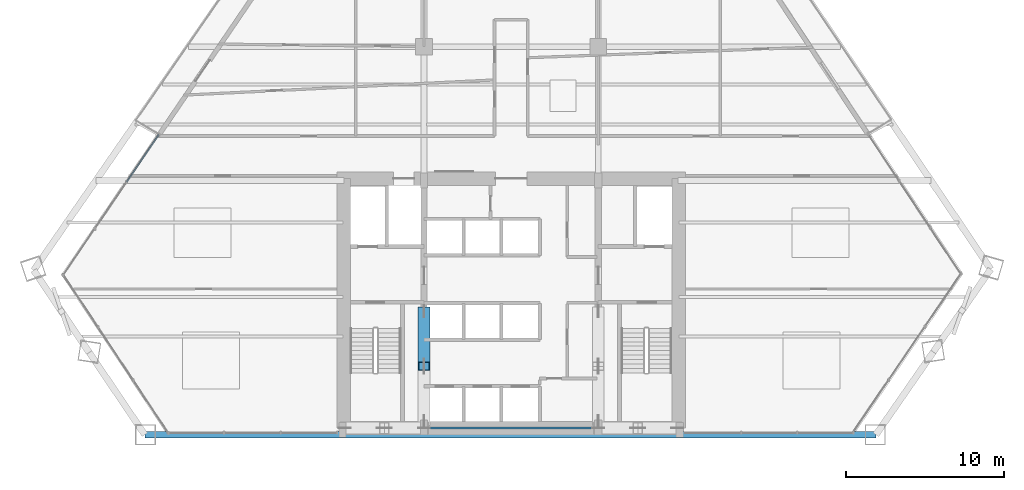
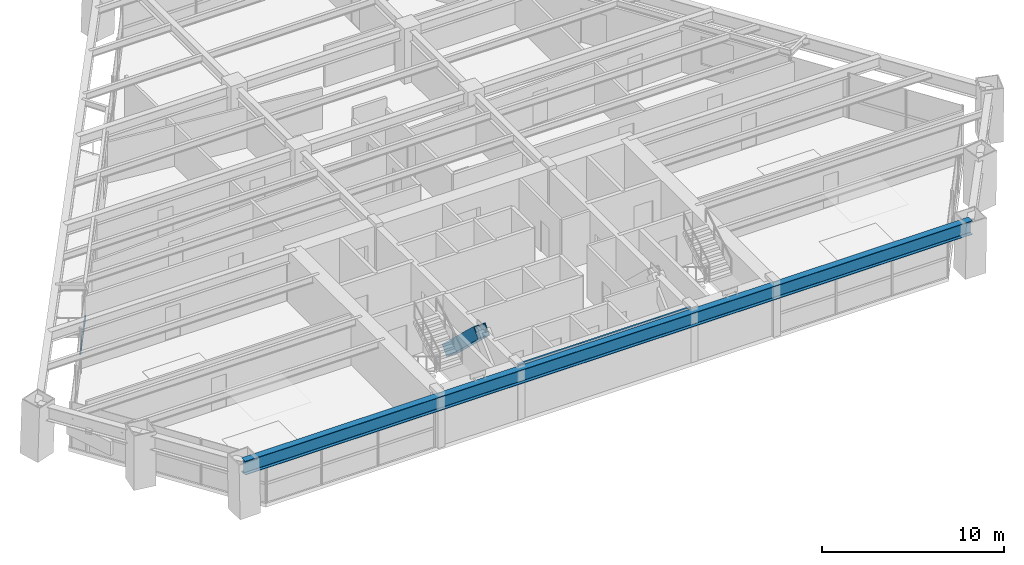
# One storey, part 3 of 14: 2 beams, 2 members, 1 element without a shape of its own.
"""IFC4 building model written with IfcOpenShell, lengths in metres."""

import ifcopenshell
import ifcopenshell.guid

model = None  # the IFC model being written
_history = None  # IfcOwnerHistory: only IFC2X3 demands one
_inside = {}  # id of a spatial element -> (the spatial element, [elements in it])
_under = {}  # id of a project, library or spatial element -> (it, [spatial elements below it])
_declared = {}  # id of a project -> (the project, [libraries it declares])
_typed = {}  # id of a type object -> (the type object, [elements of that type])
_made_of = {}  # id of a material, layer set ... -> (it, [elements and type objects made of it])


def new_model(schema):
    """Start an empty IFC model of exactly this schema.

    Asked for "IFC4X3", IfcOpenShell would pick the latest addendum, in which some entities
    have other attributes; the version numbers below select the first issue.
    IFC2X3 requires an IfcOwnerHistory on every rooted entity: one is made here for all.
    """
    global model, _history
    if schema == "IFC4X3":
        model = ifcopenshell.file(schema_version=(4, 3, 0, 0))
    else:
        model = ifcopenshell.file(schema=schema)
    _inside.clear()
    _under.clear()
    _declared.clear()
    _typed.clear()
    _made_of.clear()
    _history = None
    if model.schema == "IFC2X3":
        org = make("IfcOrganization", Name="unknown")
        user = make(
            "IfcPersonAndOrganization",
            ThePerson=make("IfcPerson", FamilyName="unknown"),
            TheOrganization=org,
        )
        app = make(
            "IfcApplication",
            ApplicationDeveloper=org,
            Version="unknown",
            ApplicationFullName="unknown",
            ApplicationIdentifier="unknown",
        )
        _history = make(
            "IfcOwnerHistory",
            OwningUser=user,
            OwningApplication=app,
            ChangeAction="ADDED",
            CreationDate=0,
        )
    return model


def make(cls, **values):
    """One entity of the class cls with the attributes given. An attribute that is None is left unset."""
    return model.create_entity(
        cls, **{name: value for name, value in values.items() if value is not None}
    )


def rooted(cls, **values):
    """An entity with a GlobalId (a new one), such as an element, a storey or a relation."""
    return make(cls, GlobalId=ifcopenshell.guid.new(), OwnerHistory=_history, **values)


def si_unit(unit_type, name, prefix=None):
    """IfcSIUnit, for example si_unit("LENGTHUNIT", "METRE", prefix="MILLI")."""
    return make("IfcSIUnit", UnitType=unit_type, Prefix=prefix, Name=name)


def assignment(units):
    """IfcUnitAssignment: the units of a project."""
    return None if units is None else make("IfcUnitAssignment", Units=units)


def point(xyz):
    """IfcCartesianPoint."""
    return None if xyz is None else make("IfcCartesianPoint", Coordinates=xyz)


def direction(xyz):
    """IfcDirection."""
    return None if xyz is None else make("IfcDirection", DirectionRatios=xyz)


def frame(location, z_axis=None, x_axis=None):
    """IfcAxis2Placement3D, a coordinate frame: its origin and axes. An axis left out is left unset."""
    return make(
        "IfcAxis2Placement3D",
        Location=point(location),
        Axis=direction(z_axis),
        RefDirection=direction(x_axis),
    )


def frame_2d(location, x_axis=None):
    """IfcAxis2Placement2D, a coordinate frame in the plane: its origin and x axis."""
    return make(
        "IfcAxis2Placement2D", Location=point(location), RefDirection=direction(x_axis)
    )


def origin():
    """The frame at (0, 0, 0) with its axes left unset."""
    return frame((0.0, 0.0, 0.0))


def origin_2d():
    """The frame at (0, 0) in the plane with its x axis left unset."""
    return frame_2d((0.0, 0.0))


def place(relative_to, where):
    """IfcLocalPlacement: puts the frame where relative to a parent placement (None: the world)."""
    return make(
        "IfcLocalPlacement", PlacementRelTo=relative_to, RelativePlacement=where
    )


def context(
    kind, dimensions, precision=None, world=None, true_north=None, identifier=None
):
    """IfcGeometricRepresentationContext, for example the 3D "Model" context."""
    return make(
        "IfcGeometricRepresentationContext",
        ContextIdentifier=identifier,
        ContextType=kind,
        CoordinateSpaceDimension=dimensions,
        Precision=precision,
        WorldCoordinateSystem=world,
        TrueNorth=true_north,
    )


def subcontext(parent, identifier, kind, view, scale=None):
    """IfcGeometricRepresentationSubContext, for example "Body" below "Model"."""
    return make(
        "IfcGeometricRepresentationSubContext",
        ContextIdentifier=identifier,
        ContextType=kind,
        ParentContext=parent,
        TargetScale=scale,
        TargetView=view,
    )


def project(units=None, contexts=None):
    """IfcProject with its units and contexts."""
    return rooted(
        "IfcProject",
        Name="project",
        RepresentationContexts=contexts,
        UnitsInContext=assignment(units),
    )


def spatial(cls, under=None, at=None, **own):
    """A site, building, storey or space (cls), placed at a placement, below another one or the project."""
    s = rooted(cls, ObjectPlacement=at, **own)
    if under is not None:
        _under.setdefault(under.id(), (under, []))[1].append(s)
    return s


def profile(cls, at=None, kind="AREA", **sizes):
    """A parametric profile (cls). Its sizes go by their IFC names, for example OverallWidth=200.0."""
    return make(cls, ProfileType=kind, Position=at, **sizes)


def rectangle(**sizes):
    """IfcRectangleProfileDef."""
    return profile("IfcRectangleProfileDef", **sizes)


def hollow_rectangle(**sizes):
    """IfcRectangleHollowProfileDef."""
    return profile("IfcRectangleHollowProfileDef", **sizes)


def i_section(**sizes):
    """IfcIShapeProfileDef."""
    return profile("IfcIShapeProfileDef", **sizes)


def extrude(swept, where, along, depth):
    """IfcExtrudedAreaSolid: the profile swept, set in the frame where, extruded along a direction by depth."""
    return make(
        "IfcExtrudedAreaSolid",
        SweptArea=swept,
        Position=where,
        ExtrudedDirection=direction(along),
        Depth=depth,
    )


def shape(context_of_items, identifier, shape_type, items):
    """IfcShapeRepresentation: the items that make up one representation, for example the "Body"."""
    return make(
        "IfcShapeRepresentation",
        ContextOfItems=context_of_items,
        RepresentationIdentifier=identifier,
        RepresentationType=shape_type,
        Items=items,
    )


def source(mapping_origin, context_of_items, identifier, shape_type, items):
    """IfcRepresentationMap: a shape defined once, which mapped items show again and again."""
    return make(
        "IfcRepresentationMap",
        MappingOrigin=mapping_origin,
        MappedRepresentation=shape(context_of_items, identifier, shape_type, items),
    )


def transform(
    local_origin,
    x_axis=None,
    y_axis=None,
    z_axis=None,
    scale=None,
    scale2=None,
    scale3=None,
    uniform=True,
):
    """IfcCartesianTransformationOperator3D, or its non-uniform kind. x_axis, y_axis, z_axis: its Axis1, 2, 3."""
    if uniform:
        return make(
            "IfcCartesianTransformationOperator3D",
            Axis1=direction(x_axis),
            Axis2=direction(y_axis),
            LocalOrigin=point(local_origin),
            Scale=scale,
            Axis3=direction(z_axis),
        )
    return make(
        "IfcCartesianTransformationOperator3DnonUniform",
        Axis1=direction(x_axis),
        Axis2=direction(y_axis),
        LocalOrigin=point(local_origin),
        Scale=scale,
        Axis3=direction(z_axis),
        Scale2=scale2,
        Scale3=scale3,
    )


def mapped(mapping_source, mapping_target):
    """IfcMappedItem: shows the shape of a source again, moved by a transform."""
    return make(
        "IfcMappedItem", MappingSource=mapping_source, MappingTarget=mapping_target
    )


def material(Name=None, Category=None):
    """IfcMaterial."""
    return make("IfcMaterial", Name=Name, Category=Category)


def material_profile(
    of_material, cross_section, Name=None, Category=None, Priority=None
):
    """IfcMaterialProfile: a cross section and its material."""
    return make(
        "IfcMaterialProfile",
        Name=Name,
        Material=of_material,
        Profile=cross_section,
        Priority=Priority,
        Category=Category,
    )


def profile_set(profiles, Name=None, composite=None):
    """IfcMaterialProfileSet."""
    return make(
        "IfcMaterialProfileSet",
        Name=Name,
        MaterialProfiles=profiles,
        CompositeProfile=composite,
    )


def made_of(thing, what):
    """Note that an element or type object is made of a material, layer set ...; save() writes the relation."""
    if what is not None:
        _made_of.setdefault(what.id(), (what, []))[1].append(thing)
    return thing


def type_object(cls, material=None, **own):
    """A type object (cls), such as IfcWallType, which elements share."""
    return made_of(rooted(cls, **own), material)


def type_shapes(of_type, sources):
    """Give a type object the sources (RepresentationMaps) that its elements show as mapped items."""
    of_type.RepresentationMaps = sources


def element(
    cls,
    number,
    at=None,
    inside=None,
    cuts=None,
    type_object=None,
    material=None,
    context=None,
    identifier="Body",
    shape_type=None,
    held_by="IfcProductDefinitionShape",
    body=None,
    shapes=None,
    **own,
):
    """One element of the class cls, such as IfcWall. Its Tag is "e" and its number.

    at: its placement. inside: the storey or other place that contains it. cuts: it is an
    opening in that element (IfcRelVoidsElement). A single representation is given by context,
    identifier, shape_type and body (its items); several are given by shapes. held_by: the class
    of the entity that holds the representations. save() writes the other relations.
    """
    e = rooted(cls, Tag="e%d" % number, ObjectPlacement=at, **own)
    if body is not None:
        shapes = [shape(context, identifier, shape_type, body)]
    if shapes is not None:
        e.Representation = make(held_by, Representations=shapes)
    if inside is not None:
        _inside.setdefault(inside.id(), (inside, []))[1].append(e)
    if cuts is not None:
        rooted(
            "IfcRelVoidsElement", RelatingBuildingElement=cuts, RelatedOpeningElement=e
        )
    if type_object is not None:
        _typed.setdefault(type_object.id(), (type_object, []))[1].append(e)
    return made_of(e, material)


def aggregate(whole, parts):
    """IfcRelAggregates: a whole, such as a stair, and the parts it consists of."""
    return rooted("IfcRelAggregates", RelatingObject=whole, RelatedObjects=parts)


def save(model, path):
    """Write the relations noted so far, then the file.

    IfcRelAggregates (storeys below a building ...), IfcRelContainedInSpatialStructure (elements
    in a storey), IfcRelDefinesByType, IfcRelAssociatesMaterial and IfcRelDeclares: one each for
    every whole, place, type object, material and project.
    """
    for whole, parts in _under.values():
        aggregate(whole, parts)
    for where, things in _inside.values():
        rooted(
            "IfcRelContainedInSpatialStructure",
            RelatedElements=things,
            RelatingStructure=where,
        )
    for kind, things in _typed.values():
        rooted("IfcRelDefinesByType", RelatedObjects=things, RelatingType=kind)
    for what, things in _made_of.values():
        rooted("IfcRelAssociatesMaterial", RelatedObjects=things, RelatingMaterial=what)
    for by, libraries in _declared.values():
        rooted("IfcRelDeclares", RelatingContext=by, RelatedDefinitions=libraries)
    model.write(path)


model = new_model("IFC4")

# Units and contexts
model_context = context("Model", 3, precision=1e-05, world=origin(), true_north=direction((0.0, 1.0)))
body_context = subcontext(model_context, "Body", "Model", "MODEL_VIEW")
ifc_project = project(units=[si_unit("LENGTHUNIT", "METRE"), si_unit("AREAUNIT", "SQUARE_METRE"), si_unit("VOLUMEUNIT", "CUBIC_METRE"), si_unit("PLANEANGLEUNIT", "RADIAN"), si_unit("MASSUNIT", "GRAM", prefix="KILO")], contexts=[model_context])

# Site, building, storey
site_placement = place(None, origin())
site = spatial("IfcSite", under=ifc_project, at=site_placement, CompositionType="ELEMENT")
building_placement = place(site_placement, origin())
building = spatial("IfcBuilding", under=site, at=building_placement, Name="Varnakhor Terracotta Tower", CompositionType="ELEMENT")
storey_placement = place(building_placement, frame((0.0, 0.0, 60.800048828125)))
storey = spatial("IfcBuildingStorey", under=building, at=storey_placement, Name="L14", CompositionType="ELEMENT", Elevation=60.800048828125)

# Beam
ifc_material_1 = material(Name="Steel S355", Category="steel")
ifc_material_profile_1 = material_profile(ifc_material_1, i_section(OverallWidth=0.1201171875, OverallDepth=0.239990234375, WebThickness=0.006103515625, FlangeThickness=0.009765625, FilletRadius=0.01806640625, at=origin_2d()), Name="IPE240")
ifc_profile_set_1 = profile_set([ifc_material_profile_1], Name="Steel S355")
beam_type_1 = type_object("IfcBeamType", Name="LNT-IPE240", PredefinedType="LINTEL", material=ifc_profile_set_1)
shared_shape_1 = source(origin(), body_context, "Body", "SweptSolid", [
    extrude(i_section(OverallWidth=0.1201171875, OverallDepth=0.239990234375, WebThickness=0.006103515625, FlangeThickness=0.009765625, FilletRadius=0.01806640625, at=origin_2d()), origin(), (0.0, 0.0, 1.0), 11.0),
])
type_shapes(beam_type_1, [shared_shape_1])
beam_1_placement = place(storey_placement, frame((-5.5, 0.419921875, 3.329833984375), z_axis=(1.0, 0.0, 0.0), x_axis=(0.0, 1.0, 0.0)))
element("IfcBeam", 1, at=beam_1_placement, inside=storey, type_object=beam_type_1, Name="L14 Core South Coupling Lintel", PredefinedType="LINTEL", context=body_context, shape_type="MappedRepresentation", body=[
    mapped(shared_shape_1, transform((0.0, 0.0, 0.0), scale=1.0)),
])

# Member
ifc_material_2 = material(Name="Steel S460", Category="steel")
ifc_material_profile_2 = material_profile(ifc_material_2, hollow_rectangle(XDim=0.75, YDim=0.75, WallThickness=0.044921875, at=origin_2d()), Name="HSS750X750X45")
ifc_profile_set_2 = profile_set([ifc_material_profile_2], Name="Steel S460")
member_type_1 = type_object("IfcMemberType", Name="MBR-MEGA-750", PredefinedType="BRACE", material=ifc_profile_set_2)
shared_shape_2 = source(origin(), body_context, "Body", "SweptSolid", [
    extrude(hollow_rectangle(XDim=0.75, YDim=0.75, WallThickness=0.044921875, at=origin_2d()), origin(), (0.0, 0.0, 1.0), 4.792236328125),
])
member_1_placement = place(storey_placement, frame((-5.5, 7.800048828125, 0.0), z_axis=(0.0, -0.72513424341, 0.688607529028), x_axis=(1.0, 0.0, 0.0)))
element("IfcMember", 2, at=member_1_placement, inside=storey, type_object=member_type_1, Name="L14 Core Coupled Brace CWWB", PredefinedType="BRACE", context=body_context, shape_type="MappedRepresentation", body=[
    mapped(shared_shape_2, transform((0.0, 0.0, 0.0), scale=1.0)),
])

# Beam
ifc_material_profile_3 = material_profile(ifc_material_1, i_section(OverallWidth=0.41796875, OverallDepth=0.927001953125, WebThickness=0.01904296875, FlangeThickness=0.031982421875, FilletRadius=0.01806640625, at=origin_2d()), Name="W36X231")
ifc_profile_set_3 = profile_set([ifc_material_profile_3], Name="Steel S355")
beam_type_2 = type_object("IfcBeamType", Name="BM-W36X231", PredefinedType="BEAM", material=ifc_profile_set_3)
shared_shape_3 = source(origin(), body_context, "Body", "SweptSolid", [
    extrude(i_section(OverallWidth=0.41796875, OverallDepth=0.927001953125, WebThickness=0.01904296875, FlangeThickness=0.031982421875, FilletRadius=0.01806640625, at=origin_2d()), origin(), (0.0, 0.0, 1.0), 46.15576171875),
])
beam_2_placement = place(storey_placement, frame((-23.12548828125, 0.0, 2.986572265625), z_axis=(1.0, 0.0, 0.0), x_axis=(0.0, 1.0, 0.0)))
element("IfcBeam", 3, at=beam_2_placement, inside=storey, type_object=beam_type_2, Name="L14 Perimeter Spandrel 1", PredefinedType="BEAM", context=body_context, shape_type="MappedRepresentation", body=[
    mapped(shared_shape_3, transform((0.0, 0.0, 0.0), scale=1.0)),
])

# Curtain wall, member
ifc_material_3 = material(Name="Anodised Aluminium Curtain Wall System", Category="aluminium")
curtain_wall_type = type_object("IfcCurtainWallType", Name="CW-SYS-LOW-OFFICE", PredefinedType="NOTDEFINED", material=ifc_material_3)
curtain_wall_placement = place(storey_placement, origin())
curtain_wall = element("IfcCurtainWall", 4, at=curtain_wall_placement, inside=storey, type_object=curtain_wall_type, Name="L14 W Facet Curtain Wall 1", PredefinedType="NOTDEFINED")
ifc_material_4 = material(Name="Anodised Aluminium 6063-T6", Category="aluminium")
ifc_material_profile_4 = material_profile(ifc_material_4, rectangle(XDim=0.074951171875, YDim=0.1650390625, at=origin_2d()), Name="ALU TRANSOM 75x165")
ifc_profile_set_4 = profile_set([ifc_material_profile_4], Name="Anodised Aluminium 6063-T6")
member_type_2 = type_object("IfcMemberType", Name="CWT-02", PredefinedType="USERDEFINED", material=ifc_profile_set_4)
shared_shape_4 = source(origin(), body_context, "Body", "SweptSolid", [
    extrude(rectangle(XDim=0.074951171875, YDim=0.1650390625, at=origin_2d()), origin(), (0.0, 0.0, 1.0), 3.579833984375),
])
member_2_placement = place(storey_placement, frame((-24.259521484375, 15.97607421875, 1.2724609375), z_axis=(0.562356654477, 0.826894789659, 0.0), x_axis=(-0.826894789659, 0.562356654477, 0.0)))
member_2 = element("IfcMember", 5, at=member_2_placement, type_object=member_type_2, Name="L14 W Facet Curtain Wall 1 Transom 3", ObjectType="TRANSOM", PredefinedType="USERDEFINED", context=body_context, shape_type="MappedRepresentation", body=[
    mapped(shared_shape_4, transform((0.0, 0.0, 0.0), scale=1.0)),
])
aggregate(curtain_wall, [member_2])

save(model, "model.ifc")
